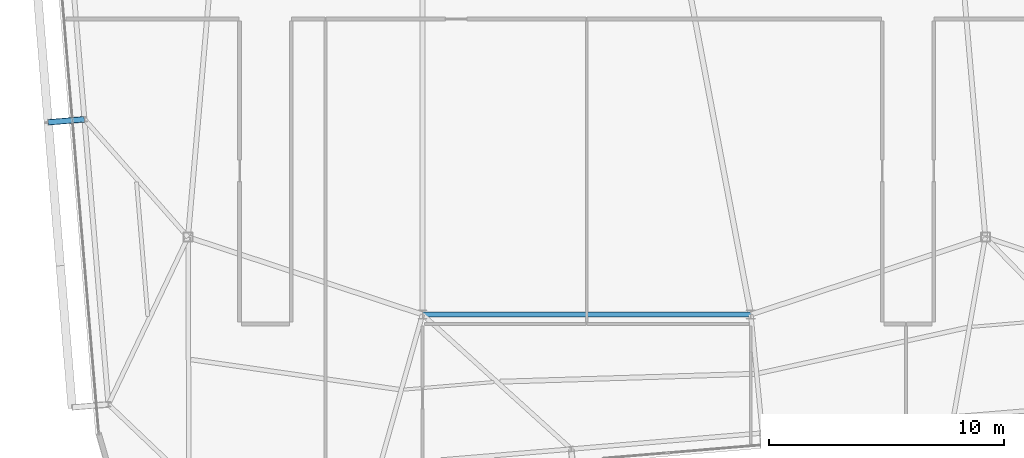
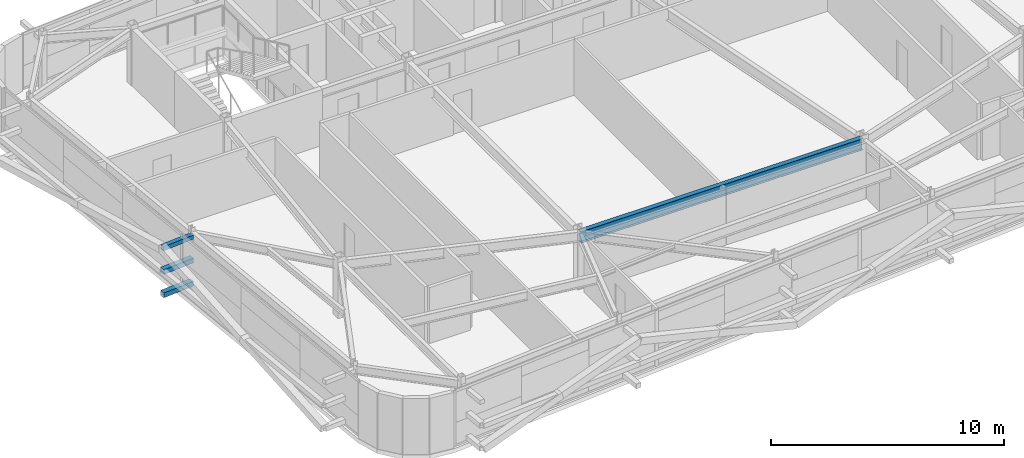
# One storey, part 11 of 39: 3 members, 1 beam.
"""IFC4 building model written with IfcOpenShell, lengths in metres."""

from ifc_helpers import new_model, si_unit, direction, frame, origin, origin_2d, place, context, subcontext, project, spatial, hollow_rectangle, i_section, extrude, source, transform, mapped, material, material_profile, profile_set, type_object, element, save


model = new_model("IFC4")

# Units and contexts
model_context = context("Model", 3, precision=1e-05, world=origin(), true_north=direction((0.0, 1.0)))
body_context = subcontext(model_context, "Body", "Model", "MODEL_VIEW")
ifc_project = project(units=[si_unit("LENGTHUNIT", "METRE"), si_unit("AREAUNIT", "SQUARE_METRE"), si_unit("VOLUMEUNIT", "CUBIC_METRE"), si_unit("PLANEANGLEUNIT", "RADIAN"), si_unit("MASSUNIT", "GRAM", prefix="KILO")], contexts=[model_context])

# Site, building, storey
site_placement = place(None, origin())
site = spatial("IfcSite", under=ifc_project, at=site_placement, CompositionType="ELEMENT")
building_placement = place(site_placement, origin())
building = spatial("IfcBuilding", under=site, at=building_placement, Name="Taldren Reach Tower", CompositionType="ELEMENT")
storey_placement = place(building_placement, frame((0.0, 0.0, 197.75)))
storey = spatial("IfcBuildingStorey", under=building, at=storey_placement, Name="L60", CompositionType="ELEMENT", Elevation=197.75)

# Beam
ifc_material_1 = material(Name="Steel Gr 350 (350PLUS)", Category="steel")
ifc_material_profile_1 = material_profile(ifc_material_1, i_section(OverallWidth=0.22802734375, OverallDepth=0.60205078125, WebThickness=0.010498046875, FlangeThickness=0.014892578125, at=origin_2d()), Name="610UB101")
ifc_profile_set_1 = profile_set([ifc_material_profile_1], Name="Steel Gr 350 (350PLUS)")
beam_type = type_object("IfcBeamType", Name="BM-UB610B", PredefinedType="BEAM", material=ifc_profile_set_1)
shared_shape_1 = source(origin(), body_context, "Body", "SweptSolid", [
    extrude(i_section(OverallWidth=0.22802734375, OverallDepth=0.60205078125, WebThickness=0.010498046875, FlangeThickness=0.014892578125, at=origin_2d()), origin(), (0.0, 0.0, 1.0), 14.0),
])
beam_placement = place(storey_placement, frame((28.0, 9.199951171875, 2.62890625), z_axis=(1.0, 0.0, 0.0), x_axis=(0.0, 1.0, 0.0)))
element("IfcBeam", 1, at=beam_placement, inside=storey, type_object=beam_type, Name="Core-spine girder L60-SP11", PredefinedType="BEAM", context=body_context, shape_type="MappedRepresentation", body=[
    mapped(shared_shape_1, transform((0.0, 0.0, 0.0), scale=1.0)),
])

# Members
ifc_material_2 = material(Name="Steel Gr 450 (C450L0)", Category="steel")
ifc_material_profile_2 = material_profile(ifc_material_2, hollow_rectangle(XDim=0.219970703125, YDim=0.219970703125, WallThickness=0.00830078125, at=origin_2d()), Name="220x220x8.2SHS")
ifc_profile_set_2 = profile_set([ifc_material_profile_2], Name="Steel Gr 450 (C450L0)")
member_type_1 = type_object("IfcMemberType", Name="MB-TIE219", PredefinedType="STRUT", material=ifc_profile_set_2)
shared_shape_2 = source(origin(), body_context, "Body", "SweptSolid", [
    extrude(hollow_rectangle(XDim=0.219970703125, YDim=0.219970703125, WallThickness=0.00830078125, at=origin_2d()), origin(), (0.0, 0.0, 1.0), 1.54541015625),
])
member_placement = place(storey_placement, frame((13.578125, 17.52490234375, 2.64990234375), z_axis=(-0.99648887425, -0.083725285883, 0.0), x_axis=(0.083725285883, -0.99648887425, 0.0)))
element("IfcMember", 2, at=member_placement, inside=storey, type_object=member_type_1, Name="Exoskeleton diaphragm tie strut B4-W2 L60", PredefinedType="STRUT", context=body_context, shape_type="MappedRepresentation", body=[
    mapped(shared_shape_2, transform((0.0, 0.0, 0.0), scale=1.0)),
])
ifc_material_3 = material(Name="Steel Gr 350 (C350L0)", Category="steel")
ifc_material_profile_3 = material_profile(ifc_material_3, hollow_rectangle(XDim=0.25, YDim=0.25, WallThickness=0.010009765625, at=origin_2d()), Name="250x250x10.0SHS")
ifc_profile_set_3 = profile_set([ifc_material_profile_3], Name="Steel Gr 350 (C350L0)")
member_type_2 = type_object("IfcMemberType", Name="MB-POST250", PredefinedType="POST", material=ifc_profile_set_3)
shared_shape_3 = source(origin(), body_context, "Body", "SweptSolid", [
    extrude(hollow_rectangle(XDim=0.25, YDim=0.25, WallThickness=0.010009765625, at=origin_2d()), origin(), (0.0, 0.0, 1.0), 1.54541015625),
])
for number, where, z_axis, x_axis, name in (
    (3, (13.578125, 17.52490234375, 0.219970703125), (-0.99648887425, -0.083725285883, 0.0), (0.083725285883, -0.99648887425, 0.0), "Exoskeleton base diaphragm tie strut B4-W2 L60"),
    (4, (13.578125, 17.52490234375, 1.43505859375), (-0.99648887425, -0.083725285883, 0.0), (0.083725285883, -0.99648887425, 0.0), "Exoskeleton mid-tier diaphragm tie B4-W2 L60"),
):
    element("IfcMember", number, at=place(storey_placement, frame(where, z_axis=z_axis, x_axis=x_axis)), inside=storey, type_object=member_type_2, Name=name, PredefinedType="POST", context=body_context, shape_type="MappedRepresentation", body=[
        mapped(shared_shape_3, transform((0.0, 0.0, 0.0), scale=1.0)),
    ])

save(model, "model.ifc")
